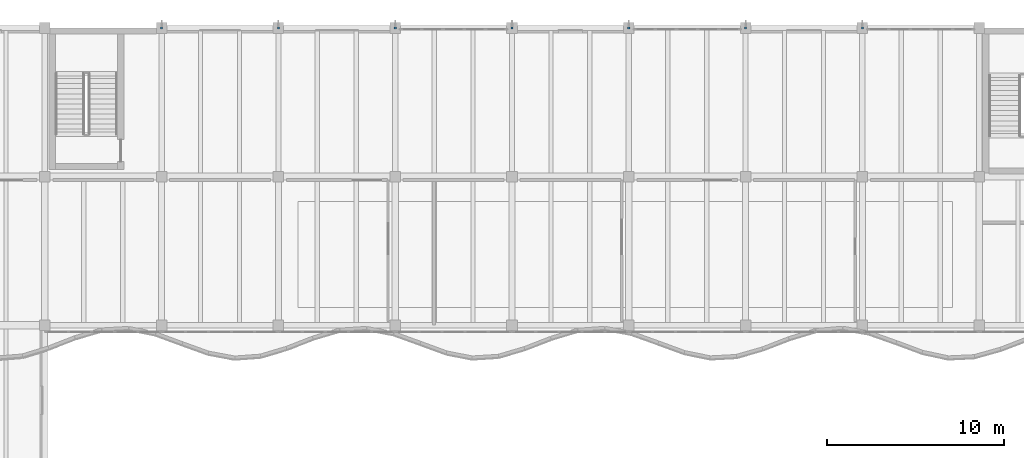
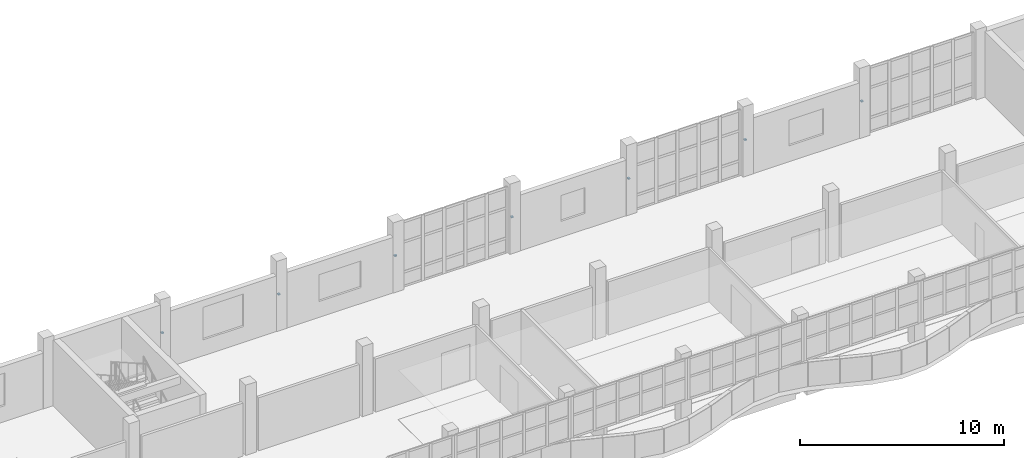
# One storey, part 60 of 74: 7 discrete accessories.
"""IFC4 building model written with IfcOpenShell, lengths in metres."""

from ifc_helpers import new_model, si_unit, direction, frame, origin, origin_2d, place, context, subcontext, project, spatial, rectangle, extrude, material, layer, layer_set, type_object, element, save


model = new_model("IFC4")

# Units and contexts
model_context = context("Model", 3, precision=1e-05, world=origin(), true_north=direction((0.0, 1.0)))
body_context = subcontext(model_context, "Body", "Model", "MODEL_VIEW")
ifc_project = project(units=[si_unit("LENGTHUNIT", "METRE"), si_unit("AREAUNIT", "SQUARE_METRE"), si_unit("VOLUMEUNIT", "CUBIC_METRE"), si_unit("PLANEANGLEUNIT", "RADIAN"), si_unit("MASSUNIT", "GRAM", prefix="KILO")], contexts=[model_context])

# Site, building, storey
site_placement = place(None, origin())
site = spatial("IfcSite", under=ifc_project, at=site_placement, CompositionType="ELEMENT")
building_placement = place(site_placement, origin())
building = spatial("IfcBuilding", under=site, at=building_placement, Name="Qaldarim Faculty of Natural and Applied Sciences", CompositionType="ELEMENT")
storey_placement = place(building_placement, frame((0.0, 0.0, 14.39990234375)))
storey = spatial("IfcBuildingStorey", under=building, at=storey_placement, Name="L03", CompositionType="ELEMENT", Elevation=14.39990234375)

# Discrete accessories
ifc_material = material(Name="Architectural stainless steel 316", Category="steel")
ifc_layer = layer(ifc_material, 0.080078125)
ifc_layer_set = layer_set([ifc_layer], Name="Architectural stainless steel 316")
discrete_accessory_type = type_object("IfcDiscreteAccessoryType", Name="FacadeBracket-SS120", PredefinedType="BRACKET", material=ifc_layer_set)
for number, where, z_axis, x_axis, name in (
    (1, (52.800048828125, 117.60009765625, 1.93017578125), (0.0, 0.0, 1.0), (1.0, 0.0, 0.0), "North fin bracket FIN-V4N-L03-X09"),
    (2, (59.39990234375, 117.60009765625, 1.93017578125), (0.0, 0.0, 1.0), (1.0, 0.0, 0.0), "North fin bracket FIN-V4N-L03-X10"),
    (3, (66.0, 117.60009765625, 1.93017578125), (0.0, 0.0, 1.0), (1.0, 0.0, 0.0), "North fin bracket FIN-V4N-L03-X11"),
    (4, (72.60009765625, 117.60009765625, 1.93017578125), (0.0, 0.0, 1.0), (1.0, 0.0, 0.0), "North fin bracket FIN-V4N-L03-X12"),
    (5, (79.199951171875, 117.60009765625, 1.93017578125), (0.0, 0.0, 1.0), (1.0, 0.0, 0.0), "North fin bracket FIN-V4N-L03-X13"),
    (6, (85.800048828125, 117.60009765625, 1.93017578125), (0.0, 0.0, 1.0), (1.0, 0.0, 0.0), "North fin bracket FIN-V4N-L03-X14"),
    (7, (92.39990234375, 117.60009765625, 1.93017578125), (0.0, 0.0, 1.0), (1.0, 0.0, 0.0), "North fin bracket FIN-V4N-L03-X15"),
):
    element("IfcDiscreteAccessory", number, at=place(storey_placement, frame(where, z_axis=z_axis, x_axis=x_axis)), inside=storey, type_object=discrete_accessory_type, Name=name, PredefinedType="BRACKET", context=body_context, shape_type="SweptSolid", body=[
        extrude(rectangle(XDim=0.1201171875, YDim=0.1201171875, at=origin_2d()), origin(), (0.0, 0.0, 1.0), 0.080078125),
    ])

save(model, "model.ifc")
